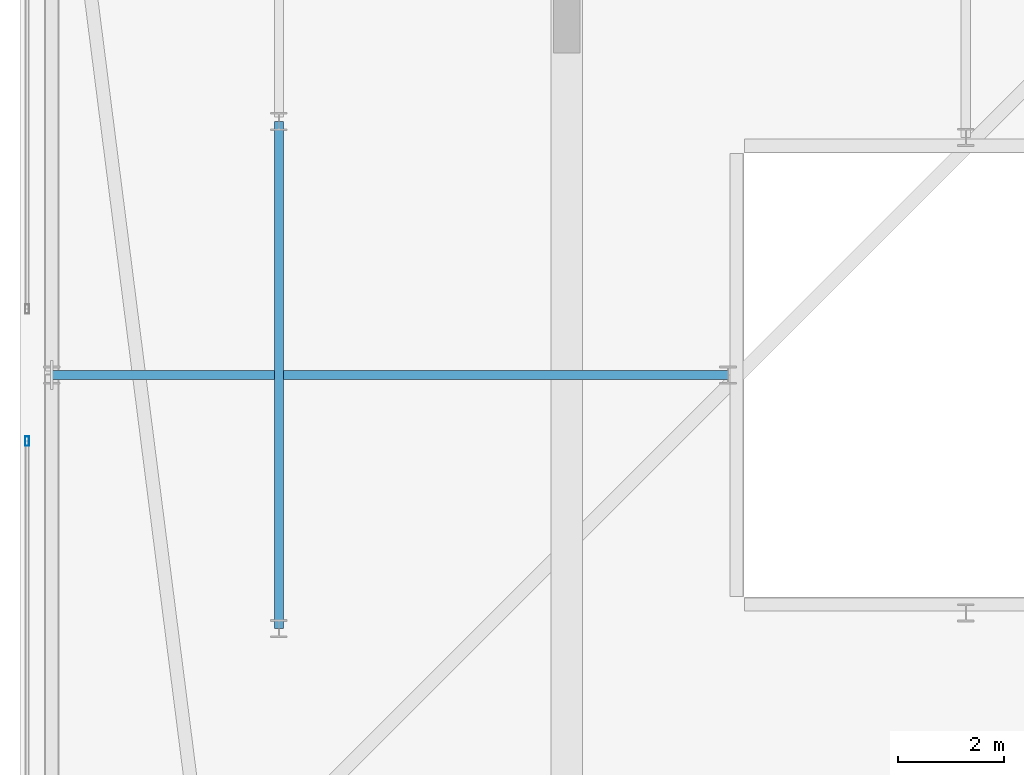
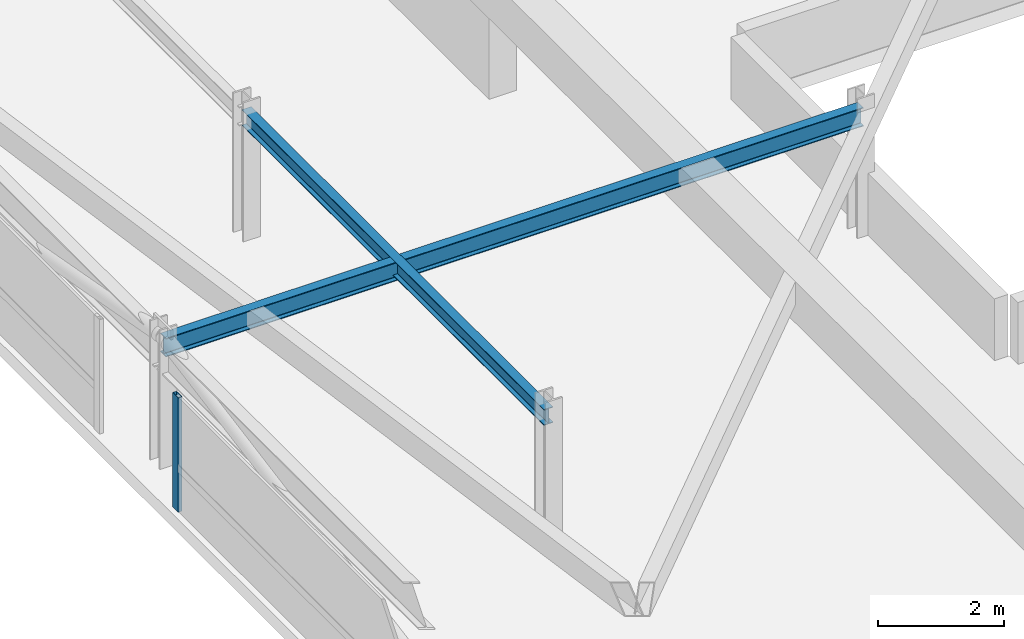
# One storey, part 12 of 42: 2 beams, 1 member, 1 element without a shape of its own.
"""IFC4 building model written with IfcOpenShell, lengths in metres."""

from ifc_helpers import new_model, si_unit, direction, frame, origin, origin_2d, place, context, subcontext, project, spatial, hollow_rectangle, i_section, extrude, material, material_profile, profile_set, type_object, element, aggregate, save


model = new_model("IFC4")

# Units and contexts
model_context = context("Model", 3, precision=1e-05, world=origin(), true_north=direction((0.0, 1.0)))
body_context = subcontext(model_context, "Body", "Model", "MODEL_VIEW")
ifc_project = project(units=[si_unit("LENGTHUNIT", "METRE"), si_unit("AREAUNIT", "SQUARE_METRE"), si_unit("VOLUMEUNIT", "CUBIC_METRE"), si_unit("PLANEANGLEUNIT", "RADIAN"), si_unit("MASSUNIT", "GRAM", prefix="KILO")], contexts=[model_context])

# Site, building, storey
site_placement = place(None, origin())
site = spatial("IfcSite", under=ifc_project, at=site_placement, CompositionType="ELEMENT")
building_placement = place(site_placement, origin())
building = spatial("IfcBuilding", under=site, at=building_placement, Name="Thornwick Lancets Civic Towers", CompositionType="ELEMENT")
storey_placement = place(building_placement, frame((0.0, 0.0, 289.5)))
storey = spatial("IfcBuildingStorey", under=building, at=storey_placement, Name="C04", CompositionType="ELEMENT", Elevation=289.5)

# Beams
ifc_material_1 = material(Name="Steel S355JR", Category="steel")
ifc_material_profile_1 = material_profile(ifc_material_1, i_section(OverallWidth=0.173095703125, OverallDepth=0.36328125, WebThickness=0.009033203125, FlangeThickness=0.015625, FilletRadius=0.01025390625, at=origin_2d()), Name="UKB 356x171x67")
ifc_profile_set_1 = profile_set([ifc_material_profile_1], Name="Steel S355JR")
beam_type_1 = type_object("IfcBeamType", Name="BM_JOIST_356_67", PredefinedType="JOIST", material=ifc_profile_set_1)
beam_1_placement = place(storey_placement, frame((21.0, 27.0, 2.25830078125), z_axis=(-1.0, 0.0, 0.0), x_axis=(0.0, -1.0, 0.0)))
element("IfcBeam", 1, at=beam_1_placement, inside=storey, type_object=beam_type_1, Name="BM-RADIN-C04-A11", PredefinedType="JOIST", context=body_context, shape_type="SweptSolid", body=[
    extrude(i_section(OverallWidth=0.173095703125, OverallDepth=0.36328125, WebThickness=0.009033203125, FlangeThickness=0.015625, FilletRadius=0.01025390625, at=origin_2d()), origin(), (0.0, 0.0, 1.0), 12.800048828125),
])
ifc_material_profile_2 = material_profile(ifc_material_1, i_section(OverallWidth=0.1669921875, OverallDepth=0.310302734375, WebThickness=0.0078125, FlangeThickness=0.013671875, FilletRadius=0.0087890625, at=origin_2d()), Name="UKB 305x165x54")
ifc_profile_set_2 = profile_set([ifc_material_profile_2], Name="Steel S355JR")
beam_type_2 = type_object("IfcBeamType", Name="BM_LINTEL_305_54", PredefinedType="LINTEL", material=ifc_profile_set_2)
beam_2_placement = place(storey_placement, frame((12.5, 22.199951171875, 2.284912109375), z_axis=(0.0, 1.0, 0.0), x_axis=(-1.0, 0.0, 0.0)))
element("IfcBeam", 2, at=beam_2_placement, inside=storey, type_object=beam_type_2, Name="BM-INSP-C04-A-0-2", PredefinedType="LINTEL", context=body_context, shape_type="SweptSolid", body=[
    extrude(i_section(OverallWidth=0.1669921875, OverallDepth=0.310302734375, WebThickness=0.0078125, FlangeThickness=0.013671875, FilletRadius=0.0087890625, at=origin_2d()), origin(), (0.0, 0.0, 1.0), 9.60009765625),
])

# Curtain wall, member
ifc_material_2 = material(Name="Crown ring acoustic-louvre and glazing screen wall", Category="glass")
curtain_wall_type = type_object("IfcCurtainWallType", Name="CW_SYS_07", PredefinedType="NOTDEFINED", material=ifc_material_2)
curtain_wall_placement = place(storey_placement, origin())
curtain_wall = element("IfcCurtainWall", 3, at=curtain_wall_placement, inside=storey, type_object=curtain_wall_type, Name="C04 Curtain Wall CW-C04-A-E6-S2", PredefinedType="NOTDEFINED")
ifc_material_3 = material(Name="Thermally broken bronze aluminium S355", Category="steel")
ifc_material_profile_3 = material_profile(ifc_material_3, hollow_rectangle(XDim=0.074951171875, YDim=0.179931640625, WallThickness=0.006103515625, at=origin_2d()), Name="RHS 180x75x6")
ifc_profile_set_3 = profile_set([ifc_material_profile_3], Name="Thermally broken bronze aluminium S355")
member_type = type_object("IfcMemberType", Name="CW_MUL_180", PredefinedType="MULLION", material=ifc_profile_set_3)
member_placement = place(storey_placement, frame((7.7353515625, 25.75, 0.0), z_axis=(0.0, 0.0, 1.0), x_axis=(1.0, 0.0, 0.0)))
member = element("IfcMember", 4, at=member_placement, type_object=member_type, Name="CW-C04-A-E6-S2 Mullion 0", PredefinedType="MULLION", context=body_context, shape_type="SweptSolid", body=[
    extrude(hollow_rectangle(XDim=0.074951171875, YDim=0.179931640625, WallThickness=0.006103515625, at=origin_2d()), origin(), (0.0, 0.0, 1.0), 2.219970703125),
])
aggregate(curtain_wall, [member])

save(model, "model.ifc")
